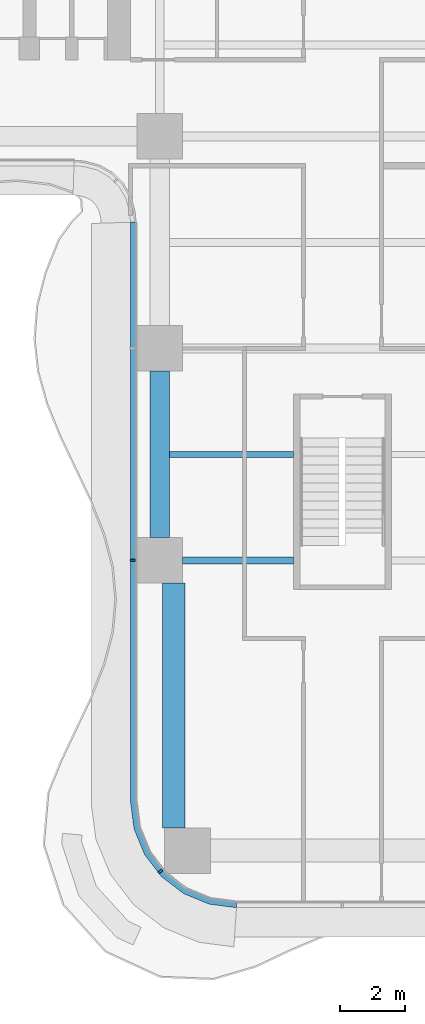
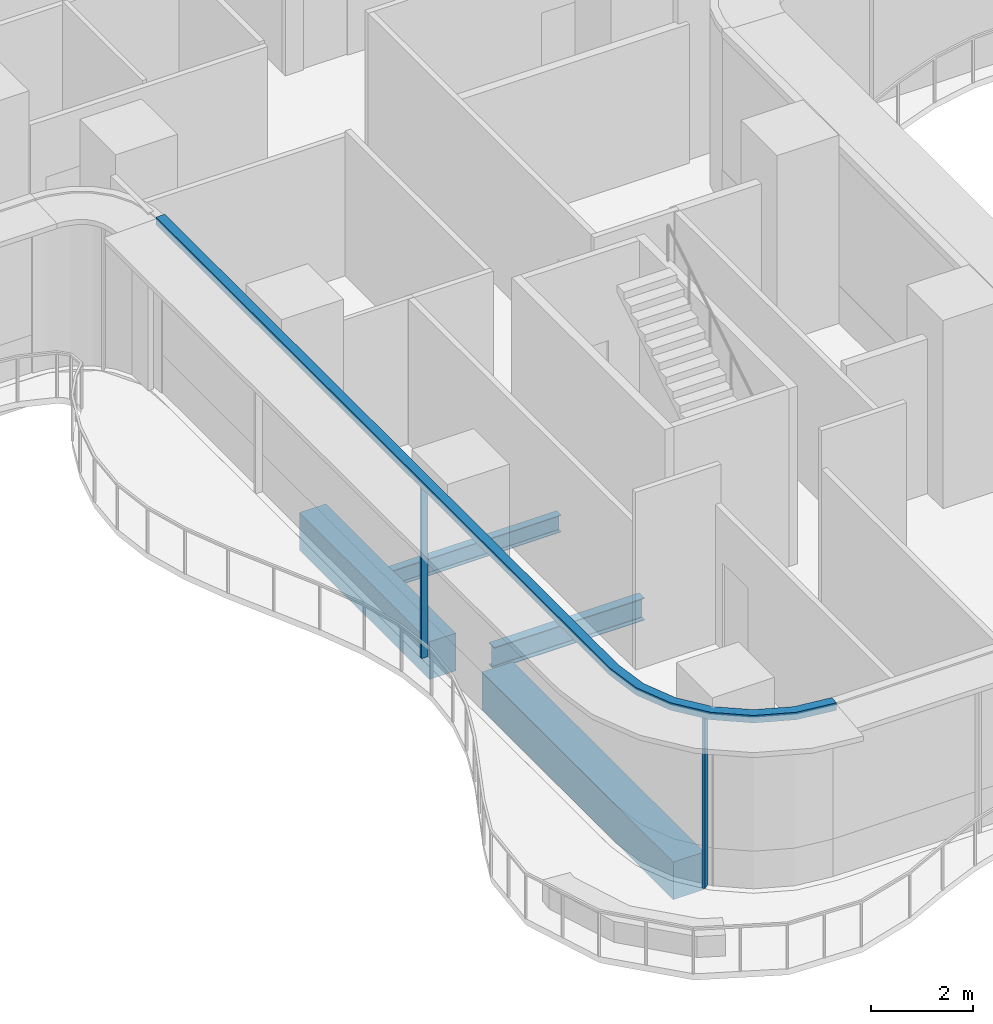
# One storey, part 2 of 22: 4 beams, 3 members, 1 element without a shape of its own.
"""IFC4 building model written with IfcOpenShell, lengths in metres."""

import ifcopenshell
import ifcopenshell.guid

model = None  # the IFC model being written
_history = None  # IfcOwnerHistory: only IFC2X3 demands one
_inside = {}  # id of a spatial element -> (the spatial element, [elements in it])
_under = {}  # id of a project, library or spatial element -> (it, [spatial elements below it])
_declared = {}  # id of a project -> (the project, [libraries it declares])
_typed = {}  # id of a type object -> (the type object, [elements of that type])
_made_of = {}  # id of a material, layer set ... -> (it, [elements and type objects made of it])


def new_model(schema):
    """Start an empty IFC model of exactly this schema.

    Asked for "IFC4X3", IfcOpenShell would pick the latest addendum, in which some entities
    have other attributes; the version numbers below select the first issue.
    IFC2X3 requires an IfcOwnerHistory on every rooted entity: one is made here for all.
    """
    global model, _history
    if schema == "IFC4X3":
        model = ifcopenshell.file(schema_version=(4, 3, 0, 0))
    else:
        model = ifcopenshell.file(schema=schema)
    _inside.clear()
    _under.clear()
    _declared.clear()
    _typed.clear()
    _made_of.clear()
    _history = None
    if model.schema == "IFC2X3":
        org = make("IfcOrganization", Name="unknown")
        user = make(
            "IfcPersonAndOrganization",
            ThePerson=make("IfcPerson", FamilyName="unknown"),
            TheOrganization=org,
        )
        app = make(
            "IfcApplication",
            ApplicationDeveloper=org,
            Version="unknown",
            ApplicationFullName="unknown",
            ApplicationIdentifier="unknown",
        )
        _history = make(
            "IfcOwnerHistory",
            OwningUser=user,
            OwningApplication=app,
            ChangeAction="ADDED",
            CreationDate=0,
        )
    return model


def make(cls, **values):
    """One entity of the class cls with the attributes given. An attribute that is None is left unset."""
    return model.create_entity(
        cls, **{name: value for name, value in values.items() if value is not None}
    )


def rooted(cls, **values):
    """An entity with a GlobalId (a new one), such as an element, a storey or a relation."""
    return make(cls, GlobalId=ifcopenshell.guid.new(), OwnerHistory=_history, **values)


def si_unit(unit_type, name, prefix=None):
    """IfcSIUnit, for example si_unit("LENGTHUNIT", "METRE", prefix="MILLI")."""
    return make("IfcSIUnit", UnitType=unit_type, Prefix=prefix, Name=name)


def assignment(units):
    """IfcUnitAssignment: the units of a project."""
    return None if units is None else make("IfcUnitAssignment", Units=units)


def point(xyz):
    """IfcCartesianPoint."""
    return None if xyz is None else make("IfcCartesianPoint", Coordinates=xyz)


def direction(xyz):
    """IfcDirection."""
    return None if xyz is None else make("IfcDirection", DirectionRatios=xyz)


def frame(location, z_axis=None, x_axis=None):
    """IfcAxis2Placement3D, a coordinate frame: its origin and axes. An axis left out is left unset."""
    return make(
        "IfcAxis2Placement3D",
        Location=point(location),
        Axis=direction(z_axis),
        RefDirection=direction(x_axis),
    )


def frame_2d(location, x_axis=None):
    """IfcAxis2Placement2D, a coordinate frame in the plane: its origin and x axis."""
    return make(
        "IfcAxis2Placement2D", Location=point(location), RefDirection=direction(x_axis)
    )


def origin():
    """The frame at (0, 0, 0) with its axes left unset."""
    return frame((0.0, 0.0, 0.0))


def origin_2d():
    """The frame at (0, 0) in the plane with its x axis left unset."""
    return frame_2d((0.0, 0.0))


def place(relative_to, where):
    """IfcLocalPlacement: puts the frame where relative to a parent placement (None: the world)."""
    return make(
        "IfcLocalPlacement", PlacementRelTo=relative_to, RelativePlacement=where
    )


def context(
    kind, dimensions, precision=None, world=None, true_north=None, identifier=None
):
    """IfcGeometricRepresentationContext, for example the 3D "Model" context."""
    return make(
        "IfcGeometricRepresentationContext",
        ContextIdentifier=identifier,
        ContextType=kind,
        CoordinateSpaceDimension=dimensions,
        Precision=precision,
        WorldCoordinateSystem=world,
        TrueNorth=true_north,
    )


def subcontext(parent, identifier, kind, view, scale=None):
    """IfcGeometricRepresentationSubContext, for example "Body" below "Model"."""
    return make(
        "IfcGeometricRepresentationSubContext",
        ContextIdentifier=identifier,
        ContextType=kind,
        ParentContext=parent,
        TargetScale=scale,
        TargetView=view,
    )


def project(units=None, contexts=None):
    """IfcProject with its units and contexts."""
    return rooted(
        "IfcProject",
        Name="project",
        RepresentationContexts=contexts,
        UnitsInContext=assignment(units),
    )


def spatial(cls, under=None, at=None, **own):
    """A site, building, storey or space (cls), placed at a placement, below another one or the project."""
    s = rooted(cls, ObjectPlacement=at, **own)
    if under is not None:
        _under.setdefault(under.id(), (under, []))[1].append(s)
    return s


def polyline(points):
    """IfcPolyline through the points."""
    return make("IfcPolyline", Points=[point(p) for p in points])


def profile(cls, at=None, kind="AREA", **sizes):
    """A parametric profile (cls). Its sizes go by their IFC names, for example OverallWidth=200.0."""
    return make(cls, ProfileType=kind, Position=at, **sizes)


def rectangle(**sizes):
    """IfcRectangleProfileDef."""
    return profile("IfcRectangleProfileDef", **sizes)


def i_section(**sizes):
    """IfcIShapeProfileDef."""
    return profile("IfcIShapeProfileDef", **sizes)


def outline(outer, holes=None, kind="AREA"):
    """IfcArbitraryClosedProfileDef: a profile drawn as a closed curve; with holes, ...WithVoids."""
    if holes is None:
        return make("IfcArbitraryClosedProfileDef", ProfileType=kind, OuterCurve=outer)
    return make(
        "IfcArbitraryProfileDefWithVoids",
        ProfileType=kind,
        OuterCurve=outer,
        InnerCurves=holes,
    )


def extrude(swept, where, along, depth):
    """IfcExtrudedAreaSolid: the profile swept, set in the frame where, extruded along a direction by depth."""
    return make(
        "IfcExtrudedAreaSolid",
        SweptArea=swept,
        Position=where,
        ExtrudedDirection=direction(along),
        Depth=depth,
    )


def shape(context_of_items, identifier, shape_type, items):
    """IfcShapeRepresentation: the items that make up one representation, for example the "Body"."""
    return make(
        "IfcShapeRepresentation",
        ContextOfItems=context_of_items,
        RepresentationIdentifier=identifier,
        RepresentationType=shape_type,
        Items=items,
    )


def source(mapping_origin, context_of_items, identifier, shape_type, items):
    """IfcRepresentationMap: a shape defined once, which mapped items show again and again."""
    return make(
        "IfcRepresentationMap",
        MappingOrigin=mapping_origin,
        MappedRepresentation=shape(context_of_items, identifier, shape_type, items),
    )


def transform(
    local_origin,
    x_axis=None,
    y_axis=None,
    z_axis=None,
    scale=None,
    scale2=None,
    scale3=None,
    uniform=True,
):
    """IfcCartesianTransformationOperator3D, or its non-uniform kind. x_axis, y_axis, z_axis: its Axis1, 2, 3."""
    if uniform:
        return make(
            "IfcCartesianTransformationOperator3D",
            Axis1=direction(x_axis),
            Axis2=direction(y_axis),
            LocalOrigin=point(local_origin),
            Scale=scale,
            Axis3=direction(z_axis),
        )
    return make(
        "IfcCartesianTransformationOperator3DnonUniform",
        Axis1=direction(x_axis),
        Axis2=direction(y_axis),
        LocalOrigin=point(local_origin),
        Scale=scale,
        Axis3=direction(z_axis),
        Scale2=scale2,
        Scale3=scale3,
    )


def mapped(mapping_source, mapping_target):
    """IfcMappedItem: shows the shape of a source again, moved by a transform."""
    return make(
        "IfcMappedItem", MappingSource=mapping_source, MappingTarget=mapping_target
    )


def material(Name=None, Category=None):
    """IfcMaterial."""
    return make("IfcMaterial", Name=Name, Category=Category)


def layer(
    of_material, thickness, ventilated=None, Name=None, Category=None, Priority=None
):
    """IfcMaterialLayer: one layer of a wall or slab, of a material (None: an air gap)."""
    return make(
        "IfcMaterialLayer",
        Material=of_material,
        LayerThickness=thickness,
        IsVentilated=ventilated,
        Name=Name,
        Category=Category,
        Priority=Priority,
    )


def layer_set(layers, Name=None):
    """IfcMaterialLayerSet."""
    return make("IfcMaterialLayerSet", MaterialLayers=layers, LayerSetName=Name)


def material_profile(
    of_material, cross_section, Name=None, Category=None, Priority=None
):
    """IfcMaterialProfile: a cross section and its material."""
    return make(
        "IfcMaterialProfile",
        Name=Name,
        Material=of_material,
        Profile=cross_section,
        Priority=Priority,
        Category=Category,
    )


def profile_set(profiles, Name=None, composite=None):
    """IfcMaterialProfileSet."""
    return make(
        "IfcMaterialProfileSet",
        Name=Name,
        MaterialProfiles=profiles,
        CompositeProfile=composite,
    )


def made_of(thing, what):
    """Note that an element or type object is made of a material, layer set ...; save() writes the relation."""
    if what is not None:
        _made_of.setdefault(what.id(), (what, []))[1].append(thing)
    return thing


def type_object(cls, material=None, **own):
    """A type object (cls), such as IfcWallType, which elements share."""
    return made_of(rooted(cls, **own), material)


def element(
    cls,
    number,
    at=None,
    inside=None,
    cuts=None,
    type_object=None,
    material=None,
    context=None,
    identifier="Body",
    shape_type=None,
    held_by="IfcProductDefinitionShape",
    body=None,
    shapes=None,
    **own,
):
    """One element of the class cls, such as IfcWall. Its Tag is "e" and its number.

    at: its placement. inside: the storey or other place that contains it. cuts: it is an
    opening in that element (IfcRelVoidsElement). A single representation is given by context,
    identifier, shape_type and body (its items); several are given by shapes. held_by: the class
    of the entity that holds the representations. save() writes the other relations.
    """
    e = rooted(cls, Tag="e%d" % number, ObjectPlacement=at, **own)
    if body is not None:
        shapes = [shape(context, identifier, shape_type, body)]
    if shapes is not None:
        e.Representation = make(held_by, Representations=shapes)
    if inside is not None:
        _inside.setdefault(inside.id(), (inside, []))[1].append(e)
    if cuts is not None:
        rooted(
            "IfcRelVoidsElement", RelatingBuildingElement=cuts, RelatedOpeningElement=e
        )
    if type_object is not None:
        _typed.setdefault(type_object.id(), (type_object, []))[1].append(e)
    return made_of(e, material)


def aggregate(whole, parts):
    """IfcRelAggregates: a whole, such as a stair, and the parts it consists of."""
    return rooted("IfcRelAggregates", RelatingObject=whole, RelatedObjects=parts)


def save(model, path):
    """Write the relations noted so far, then the file.

    IfcRelAggregates (storeys below a building ...), IfcRelContainedInSpatialStructure (elements
    in a storey), IfcRelDefinesByType, IfcRelAssociatesMaterial and IfcRelDeclares: one each for
    every whole, place, type object, material and project.
    """
    for whole, parts in _under.values():
        aggregate(whole, parts)
    for where, things in _inside.values():
        rooted(
            "IfcRelContainedInSpatialStructure",
            RelatedElements=things,
            RelatingStructure=where,
        )
    for kind, things in _typed.values():
        rooted("IfcRelDefinesByType", RelatedObjects=things, RelatingType=kind)
    for what, things in _made_of.values():
        rooted("IfcRelAssociatesMaterial", RelatedObjects=things, RelatingMaterial=what)
    for by, libraries in _declared.values():
        rooted("IfcRelDeclares", RelatingContext=by, RelatedDefinitions=libraries)
    model.write(path)


model = new_model("IFC4")

# Units and contexts
model_context = context("Model", 3, precision=1e-05, world=origin(), true_north=direction((0.0, 1.0)))
body_context = subcontext(model_context, "Body", "Model", "MODEL_VIEW")
ifc_project = project(units=[si_unit("LENGTHUNIT", "METRE"), si_unit("AREAUNIT", "SQUARE_METRE"), si_unit("VOLUMEUNIT", "CUBIC_METRE"), si_unit("PLANEANGLEUNIT", "RADIAN"), si_unit("MASSUNIT", "GRAM", prefix="KILO")], contexts=[model_context])

# Site, building, storey
site_placement = place(None, origin())
site = spatial("IfcSite", under=ifc_project, at=site_placement, CompositionType="ELEMENT")
building_placement = place(site_placement, origin())
building = spatial("IfcBuilding", under=site, at=building_placement, Name="Trellis Farm Tower", CompositionType="ELEMENT")
storey_placement = place(building_placement, frame((0.0, 0.0, 79.0)))
storey = spatial("IfcBuildingStorey", under=building, at=storey_placement, Name="L16", CompositionType="ELEMENT", Elevation=79.0)

# Beams
ifc_material_1 = material(Name="Steel S355", Category="steel")
ifc_material_profile_1 = material_profile(ifc_material_1, i_section(OverallWidth=0.209228515625, OverallDepth=0.533203125, WebThickness=0.010009765625, FlangeThickness=0.015625, FilletRadius=0.0126953125, at=origin_2d()), Name="UB 533x210x92")
ifc_profile_set_1 = profile_set([ifc_material_profile_1], Name="Steel S355")
beam_type_1 = type_object("IfcBeamType", Name="UB 533x210x92", PredefinedType="BEAM", material=ifc_profile_set_1)
shared_shape_1 = source(origin(), body_context, "Body", "SweptSolid", [
    extrude(i_section(OverallWidth=0.209228515625, OverallDepth=0.533203125, WebThickness=0.010009765625, FlangeThickness=0.015625, FilletRadius=0.0126953125, at=origin_2d()), origin(), (0.0, 0.0, 1.0), 3.39990234375),
])
beam_1_placement = place(storey_placement, frame((-4.89990234375, -18.60009765625, -0.5166015625), z_axis=(1.0, 0.0, 0.0), x_axis=(0.0, 1.0, 0.0)))
element("IfcBeam", 1, at=beam_1_placement, inside=storey, type_object=beam_type_1, Name="Girder", PredefinedType="BEAM", context=body_context, shape_type="MappedRepresentation", body=[
    mapped(shared_shape_1, transform((0.0, 0.0, 0.0))),
])
ifc_material_2 = material(Name="Concrete C60/75", Category="concrete")
ifc_material_profile_2 = material_profile(ifc_material_2, rectangle(XDim=0.60009765625, YDim=0.89990234375, at=origin_2d()), Name="RC spandrel beam 600x900 C60/75")
ifc_profile_set_2 = profile_set([ifc_material_profile_2], Name="Concrete C60/75")
beam_type_2 = type_object("IfcBeamType", Name="RC spandrel beam 600x900 C60/75", PredefinedType="SPANDREL", material=ifc_profile_set_2)
shared_shape_2 = source(origin(), body_context, "Body", "SweptSolid", [
    extrude(rectangle(XDim=0.60009765625, YDim=0.89990234375, at=origin_2d()), origin(), (0.0, 0.0, 1.0), 5.099853515625),
])
beam_2_placement = place(storey_placement, frame((-5.60009765625, -17.89990234375, -0.699951171875), z_axis=(0.0, 1.0, 0.0), x_axis=(-1.0, 0.0, 0.0)))
element("IfcBeam", 2, at=beam_2_placement, inside=storey, type_object=beam_type_2, Name="Girder", PredefinedType="SPANDREL", context=body_context, shape_type="MappedRepresentation", body=[
    mapped(shared_shape_2, transform((0.0, 0.0, 0.0))),
])
ifc_material_profile_3 = material_profile(ifc_material_2, rectangle(XDim=0.699951171875, YDim=0.89990234375, at=origin_2d()), Name="RC spandrel beam 700x900 C60/75")
ifc_profile_set_3 = profile_set([ifc_material_profile_3], Name="Concrete C60/75")
beam_type_3 = type_object("IfcBeamType", Name="RC spandrel beam 700x900 C60/75", PredefinedType="SPANDREL", material=ifc_profile_set_3)
shared_shape_3 = source(origin(), body_context, "Body", "SweptSolid", [
    extrude(rectangle(XDim=0.699951171875, YDim=0.89990234375, at=origin_2d()), origin(), (0.0, 0.0, 1.0), 7.5),
])
beam_3_placement = place(storey_placement, frame((-5.175048828125, -26.800048828125, -0.699951171875), z_axis=(0.0, 1.0, 0.0), x_axis=(-1.0, 0.0, 0.0)))
element("IfcBeam", 3, at=beam_3_placement, inside=storey, type_object=beam_type_3, Name="Girder", PredefinedType="SPANDREL", context=body_context, shape_type="MappedRepresentation", body=[
    mapped(shared_shape_3, transform((0.0, 0.0, 0.0))),
])
ifc_material_profile_4 = material_profile(ifc_material_1, i_section(OverallWidth=0.177978515625, OverallDepth=0.406494140625, WebThickness=0.0078125, FlangeThickness=0.0126953125, FilletRadius=0.01025390625, at=origin_2d()), Name="UB 406x178x60")
ifc_profile_set_4 = profile_set([ifc_material_profile_4], Name="Steel S355")
beam_type_4 = type_object("IfcBeamType", Name="UB 406x178x60 joist", PredefinedType="JOIST", material=ifc_profile_set_4)
shared_shape_4 = source(origin(), body_context, "Body", "SweptSolid", [
    extrude(i_section(OverallWidth=0.177978515625, OverallDepth=0.406494140625, WebThickness=0.0078125, FlangeThickness=0.0126953125, FilletRadius=0.01025390625, at=origin_2d()), origin(), (0.0, 0.0, 1.0), 3.800048828125),
])
beam_4_placement = place(storey_placement, frame((-5.300048828125, -15.35009765625, -0.453125), z_axis=(1.0, 0.0, 0.0), x_axis=(0.0, 1.0, 0.0)))
element("IfcBeam", 4, at=beam_4_placement, inside=storey, type_object=beam_type_4, Name="Floor beam", PredefinedType="JOIST", context=body_context, shape_type="MappedRepresentation", body=[
    mapped(shared_shape_4, transform((0.0, 0.0, 0.0))),
])

# Curtain wall, members
ifc_material_3 = material(Name="Aluminium and glass curtain wall", Category="aluminium")
ifc_layer_1 = layer(ifc_material_3, 0.18994140625)
ifc_layer_set_1 = layer_set([ifc_layer_1], Name="RIBBON CURTAIN WALL CW1")
curtain_wall_type = type_object("IfcCurtainWallType", Name="RIBBON CURTAIN WALL CW1", PredefinedType="NOTDEFINED", material=ifc_layer_set_1)
curtain_wall_placement = place(storey_placement, origin())
curtain_wall = element("IfcCurtainWall", 5, at=curtain_wall_placement, inside=storey, type_object=curtain_wall_type, Name="CW1 002", PredefinedType="NOTDEFINED")
ifc_material_4 = material(Name="Aluminium extrusion 6063-T6", Category="aluminium")
ifc_material_profile_5 = material_profile(ifc_material_4, rectangle(XDim=0.06005859375, YDim=0.14990234375, at=origin_2d()), Name="MULLION 60x150")
ifc_profile_set_5 = profile_set([ifc_material_profile_5], Name="Aluminium extrusion 6063-T6")
member_type_1 = type_object("IfcMemberType", Name="CW1 MULLION 60x150", PredefinedType="MULLION", material=ifc_profile_set_5)
shared_shape_5 = source(origin(), body_context, "Body", "SweptSolid", [
    extrude(rectangle(XDim=0.06005859375, YDim=0.14990234375, at=origin_2d()), origin(), (0.0, 0.0, 1.0), 4.070068359375),
])
member_1_placement = place(storey_placement, frame((-6.425048828125, -18.60009765625, 0.0), z_axis=(0.0, 0.0, 1.0), x_axis=(0.0, -1.0, 0.0)))
member_1 = element("IfcMember", 6, at=member_1_placement, type_object=member_type_1, Name="MU1 002-02", PredefinedType="MULLION", context=body_context, shape_type="MappedRepresentation", body=[
    mapped(shared_shape_5, transform((0.0, 0.0, 0.0))),
])
member_2_placement = place(storey_placement, frame((-5.578369140625, -28.135498046875, 0.0), z_axis=(0.0, 0.0, 1.0), x_axis=(0.608761429009, -0.793353340291, 0.0)))
member_2 = element("IfcMember", 7, at=member_2_placement, type_object=member_type_1, Name="MU1 002-03", PredefinedType="MULLION", context=body_context, shape_type="MappedRepresentation", body=[
    mapped(shared_shape_5, transform((0.0, 0.0, 0.0))),
])
ifc_layer_2 = layer(ifc_material_4, 0.199951171875)
ifc_layer_set_2 = layer_set([ifc_layer_2], Name="Aluminium extrusion 6063-T6")
member_type_2 = type_object("IfcMemberType", Name="CW1 TRANSOM 200x180", PredefinedType="USERDEFINED", material=ifc_layer_set_2)
shared_shape_6 = source(origin(), body_context, "Body", "SweptSolid", [
    extrude(outline(polyline([(-6.5, -8.2314453125), (-6.5, -26.0), (-6.38916015625, -26.841064453125), (-6.064697265625, -27.625), (-5.548095703125, -28.298095703125), (-4.875, -28.814697265625), (-4.091064453125, -29.13916015625), (-3.25, -29.25), (-3.23681640625, -29.050048828125), (-4.0390625, -28.9443359375), (-4.774169921875, -28.639892578125), (-5.405517578125, -28.155517578125), (-5.889892578125, -27.524169921875), (-6.1943359375, -26.7890625), (-6.300048828125, -25.98681640625), (-6.300048828125, -8.224853515625), (-6.5, -8.2314453125)])), origin(), (0.0, 0.0, 1.0), 0.179931640625),
])
member_3_placement = place(storey_placement, frame((0.0, 0.0, 4.070068359375)))
member_3 = element("IfcMember", 8, at=member_3_placement, type_object=member_type_2, Name="TR1 002", ObjectType="TRANSOM", PredefinedType="USERDEFINED", context=body_context, shape_type="MappedRepresentation", body=[
    mapped(shared_shape_6, transform((0.0, 0.0, 0.0))),
])
aggregate(curtain_wall, [member_1, member_2, member_3])

save(model, "model.ifc")
